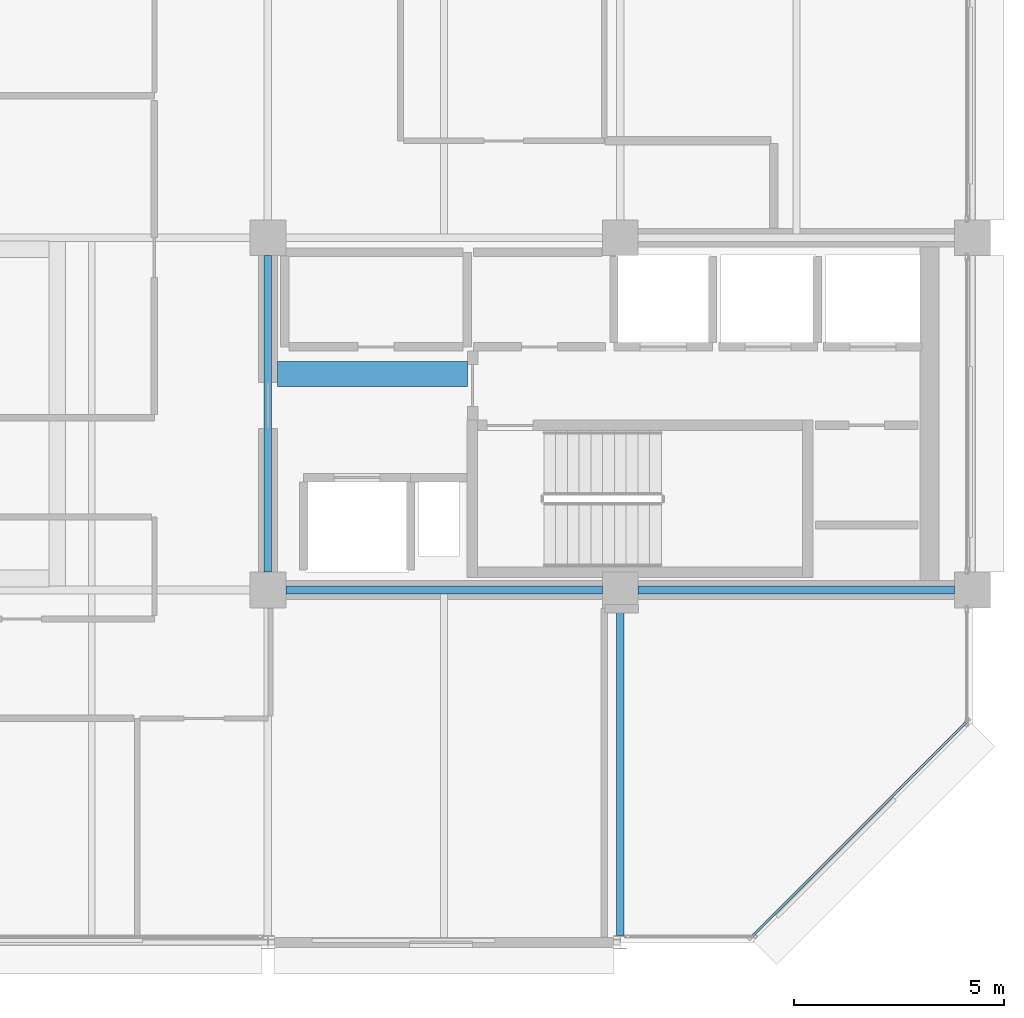
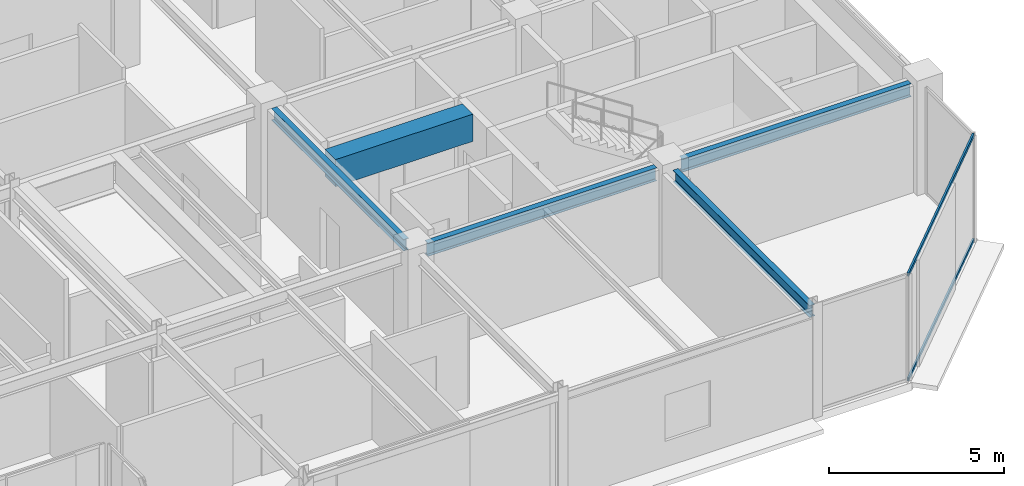
# One storey, part 8 of 25: 5 beams, 2 members, 1 element without a shape of its own.
"""IFC4 building model written with IfcOpenShell, lengths in metres."""

import ifcopenshell
import ifcopenshell.guid

model = None  # the IFC model being written
_history = None  # IfcOwnerHistory: only IFC2X3 demands one
_inside = {}  # id of a spatial element -> (the spatial element, [elements in it])
_under = {}  # id of a project, library or spatial element -> (it, [spatial elements below it])
_declared = {}  # id of a project -> (the project, [libraries it declares])
_typed = {}  # id of a type object -> (the type object, [elements of that type])
_made_of = {}  # id of a material, layer set ... -> (it, [elements and type objects made of it])


def new_model(schema):
    """Start an empty IFC model of exactly this schema.

    Asked for "IFC4X3", IfcOpenShell would pick the latest addendum, in which some entities
    have other attributes; the version numbers below select the first issue.
    IFC2X3 requires an IfcOwnerHistory on every rooted entity: one is made here for all.
    """
    global model, _history
    if schema == "IFC4X3":
        model = ifcopenshell.file(schema_version=(4, 3, 0, 0))
    else:
        model = ifcopenshell.file(schema=schema)
    _inside.clear()
    _under.clear()
    _declared.clear()
    _typed.clear()
    _made_of.clear()
    _history = None
    if model.schema == "IFC2X3":
        org = make("IfcOrganization", Name="unknown")
        user = make(
            "IfcPersonAndOrganization",
            ThePerson=make("IfcPerson", FamilyName="unknown"),
            TheOrganization=org,
        )
        app = make(
            "IfcApplication",
            ApplicationDeveloper=org,
            Version="unknown",
            ApplicationFullName="unknown",
            ApplicationIdentifier="unknown",
        )
        _history = make(
            "IfcOwnerHistory",
            OwningUser=user,
            OwningApplication=app,
            ChangeAction="ADDED",
            CreationDate=0,
        )
    return model


def make(cls, **values):
    """One entity of the class cls with the attributes given. An attribute that is None is left unset."""
    return model.create_entity(
        cls, **{name: value for name, value in values.items() if value is not None}
    )


def rooted(cls, **values):
    """An entity with a GlobalId (a new one), such as an element, a storey or a relation."""
    return make(cls, GlobalId=ifcopenshell.guid.new(), OwnerHistory=_history, **values)


def si_unit(unit_type, name, prefix=None):
    """IfcSIUnit, for example si_unit("LENGTHUNIT", "METRE", prefix="MILLI")."""
    return make("IfcSIUnit", UnitType=unit_type, Prefix=prefix, Name=name)


def assignment(units):
    """IfcUnitAssignment: the units of a project."""
    return None if units is None else make("IfcUnitAssignment", Units=units)


def point(xyz):
    """IfcCartesianPoint."""
    return None if xyz is None else make("IfcCartesianPoint", Coordinates=xyz)


def direction(xyz):
    """IfcDirection."""
    return None if xyz is None else make("IfcDirection", DirectionRatios=xyz)


def frame(location, z_axis=None, x_axis=None):
    """IfcAxis2Placement3D, a coordinate frame: its origin and axes. An axis left out is left unset."""
    return make(
        "IfcAxis2Placement3D",
        Location=point(location),
        Axis=direction(z_axis),
        RefDirection=direction(x_axis),
    )


def frame_2d(location, x_axis=None):
    """IfcAxis2Placement2D, a coordinate frame in the plane: its origin and x axis."""
    return make(
        "IfcAxis2Placement2D", Location=point(location), RefDirection=direction(x_axis)
    )


def origin():
    """The frame at (0, 0, 0) with its axes left unset."""
    return frame((0.0, 0.0, 0.0))


def origin_2d():
    """The frame at (0, 0) in the plane with its x axis left unset."""
    return frame_2d((0.0, 0.0))


def place(relative_to, where):
    """IfcLocalPlacement: puts the frame where relative to a parent placement (None: the world)."""
    return make(
        "IfcLocalPlacement", PlacementRelTo=relative_to, RelativePlacement=where
    )


def context(
    kind, dimensions, precision=None, world=None, true_north=None, identifier=None
):
    """IfcGeometricRepresentationContext, for example the 3D "Model" context."""
    return make(
        "IfcGeometricRepresentationContext",
        ContextIdentifier=identifier,
        ContextType=kind,
        CoordinateSpaceDimension=dimensions,
        Precision=precision,
        WorldCoordinateSystem=world,
        TrueNorth=true_north,
    )


def subcontext(parent, identifier, kind, view, scale=None):
    """IfcGeometricRepresentationSubContext, for example "Body" below "Model"."""
    return make(
        "IfcGeometricRepresentationSubContext",
        ContextIdentifier=identifier,
        ContextType=kind,
        ParentContext=parent,
        TargetScale=scale,
        TargetView=view,
    )


def project(units=None, contexts=None):
    """IfcProject with its units and contexts."""
    return rooted(
        "IfcProject",
        Name="project",
        RepresentationContexts=contexts,
        UnitsInContext=assignment(units),
    )


def spatial(cls, under=None, at=None, **own):
    """A site, building, storey or space (cls), placed at a placement, below another one or the project."""
    s = rooted(cls, ObjectPlacement=at, **own)
    if under is not None:
        _under.setdefault(under.id(), (under, []))[1].append(s)
    return s


def profile(cls, at=None, kind="AREA", **sizes):
    """A parametric profile (cls). Its sizes go by their IFC names, for example OverallWidth=200.0."""
    return make(cls, ProfileType=kind, Position=at, **sizes)


def rectangle(**sizes):
    """IfcRectangleProfileDef."""
    return profile("IfcRectangleProfileDef", **sizes)


def hollow_rectangle(**sizes):
    """IfcRectangleHollowProfileDef."""
    return profile("IfcRectangleHollowProfileDef", **sizes)


def i_section(**sizes):
    """IfcIShapeProfileDef."""
    return profile("IfcIShapeProfileDef", **sizes)


def extrude(swept, where, along, depth):
    """IfcExtrudedAreaSolid: the profile swept, set in the frame where, extruded along a direction by depth."""
    return make(
        "IfcExtrudedAreaSolid",
        SweptArea=swept,
        Position=where,
        ExtrudedDirection=direction(along),
        Depth=depth,
    )


def shape(context_of_items, identifier, shape_type, items):
    """IfcShapeRepresentation: the items that make up one representation, for example the "Body"."""
    return make(
        "IfcShapeRepresentation",
        ContextOfItems=context_of_items,
        RepresentationIdentifier=identifier,
        RepresentationType=shape_type,
        Items=items,
    )


def material(Name=None, Category=None):
    """IfcMaterial."""
    return make("IfcMaterial", Name=Name, Category=Category)


def layer(
    of_material, thickness, ventilated=None, Name=None, Category=None, Priority=None
):
    """IfcMaterialLayer: one layer of a wall or slab, of a material (None: an air gap)."""
    return make(
        "IfcMaterialLayer",
        Material=of_material,
        LayerThickness=thickness,
        IsVentilated=ventilated,
        Name=Name,
        Category=Category,
        Priority=Priority,
    )


def layer_set(layers, Name=None):
    """IfcMaterialLayerSet."""
    return make("IfcMaterialLayerSet", MaterialLayers=layers, LayerSetName=Name)


def material_profile(
    of_material, cross_section, Name=None, Category=None, Priority=None
):
    """IfcMaterialProfile: a cross section and its material."""
    return make(
        "IfcMaterialProfile",
        Name=Name,
        Material=of_material,
        Profile=cross_section,
        Priority=Priority,
        Category=Category,
    )


def profile_set(profiles, Name=None, composite=None):
    """IfcMaterialProfileSet."""
    return make(
        "IfcMaterialProfileSet",
        Name=Name,
        MaterialProfiles=profiles,
        CompositeProfile=composite,
    )


def made_of(thing, what):
    """Note that an element or type object is made of a material, layer set ...; save() writes the relation."""
    if what is not None:
        _made_of.setdefault(what.id(), (what, []))[1].append(thing)
    return thing


def type_object(cls, material=None, **own):
    """A type object (cls), such as IfcWallType, which elements share."""
    return made_of(rooted(cls, **own), material)


def element(
    cls,
    number,
    at=None,
    inside=None,
    cuts=None,
    type_object=None,
    material=None,
    context=None,
    identifier="Body",
    shape_type=None,
    held_by="IfcProductDefinitionShape",
    body=None,
    shapes=None,
    **own,
):
    """One element of the class cls, such as IfcWall. Its Tag is "e" and its number.

    at: its placement. inside: the storey or other place that contains it. cuts: it is an
    opening in that element (IfcRelVoidsElement). A single representation is given by context,
    identifier, shape_type and body (its items); several are given by shapes. held_by: the class
    of the entity that holds the representations. save() writes the other relations.
    """
    e = rooted(cls, Tag="e%d" % number, ObjectPlacement=at, **own)
    if body is not None:
        shapes = [shape(context, identifier, shape_type, body)]
    if shapes is not None:
        e.Representation = make(held_by, Representations=shapes)
    if inside is not None:
        _inside.setdefault(inside.id(), (inside, []))[1].append(e)
    if cuts is not None:
        rooted(
            "IfcRelVoidsElement", RelatingBuildingElement=cuts, RelatedOpeningElement=e
        )
    if type_object is not None:
        _typed.setdefault(type_object.id(), (type_object, []))[1].append(e)
    return made_of(e, material)


def aggregate(whole, parts):
    """IfcRelAggregates: a whole, such as a stair, and the parts it consists of."""
    return rooted("IfcRelAggregates", RelatingObject=whole, RelatedObjects=parts)


def save(model, path):
    """Write the relations noted so far, then the file.

    IfcRelAggregates (storeys below a building ...), IfcRelContainedInSpatialStructure (elements
    in a storey), IfcRelDefinesByType, IfcRelAssociatesMaterial and IfcRelDeclares: one each for
    every whole, place, type object, material and project.
    """
    for whole, parts in _under.values():
        aggregate(whole, parts)
    for where, things in _inside.values():
        rooted(
            "IfcRelContainedInSpatialStructure",
            RelatedElements=things,
            RelatingStructure=where,
        )
    for kind, things in _typed.values():
        rooted("IfcRelDefinesByType", RelatedObjects=things, RelatingType=kind)
    for what, things in _made_of.values():
        rooted("IfcRelAssociatesMaterial", RelatedObjects=things, RelatingMaterial=what)
    for by, libraries in _declared.values():
        rooted("IfcRelDeclares", RelatingContext=by, RelatedDefinitions=libraries)
    model.write(path)


model = new_model("IFC4")

# Units and contexts
model_context = context("Model", 3, precision=1e-05, world=origin(), true_north=direction((0.0, 1.0)))
body_context = subcontext(model_context, "Body", "Model", "MODEL_VIEW")
ifc_project = project(units=[si_unit("LENGTHUNIT", "METRE"), si_unit("AREAUNIT", "SQUARE_METRE"), si_unit("VOLUMEUNIT", "CUBIC_METRE"), si_unit("PLANEANGLEUNIT", "RADIAN"), si_unit("MASSUNIT", "GRAM", prefix="KILO")], contexts=[model_context])

# Site, building, storey
site_placement = place(None, origin())
site = spatial("IfcSite", under=ifc_project, at=site_placement, CompositionType="ELEMENT")
building_placement = place(site_placement, origin())
building = spatial("IfcBuilding", under=site, at=building_placement, Name="Nerrivon Quay Data Exchange", CompositionType="ELEMENT")
storey_placement = place(building_placement, frame((0.0, 0.0, 314.199951171875)))
storey = spatial("IfcBuildingStorey", under=building, at=storey_placement, Name="L75", CompositionType="ELEMENT", Elevation=314.199951171875)

# Beams
ifc_material_1 = material(Name="Concrete N50 (50 MPa)", Category="concrete")
ifc_material_profile_1 = material_profile(ifc_material_1, rectangle(XDim=0.60009765625, YDim=0.949951171875, at=origin_2d()), Name="RC-CB-600x950")
ifc_profile_set_1 = profile_set([ifc_material_profile_1], Name="Concrete N50 (50 MPa)")
beam_type_1 = type_object("IfcBeamType", Name="BM-CB2-600x950", PredefinedType="LINTEL", material=ifc_profile_set_1)
beam_1_placement = place(storey_placement, frame((17.02490234375, 13.550048828125, 3.25), z_axis=(1.0, 0.0, 0.0), x_axis=(0.0, 1.0, 0.0)))
element("IfcBeam", 1, at=beam_1_placement, inside=storey, type_object=beam_type_1, Name="L75 East Core Coupling Beam", PredefinedType="LINTEL", context=body_context, shape_type="SweptSolid", body=[
    extrude(rectangle(XDim=0.60009765625, YDim=0.949951171875, at=origin_2d()), origin(), (0.0, 0.0, 1.0), 4.530029296875),
])
ifc_material_2 = material(Name="Steel Grade 350", Category="steel")
ifc_material_profile_2 = material_profile(ifc_material_2, i_section(OverallWidth=0.18994140625, OverallDepth=0.4541015625, WebThickness=0.008544921875, FlangeThickness=0.0126953125, FilletRadius=0.011474609375, at=origin_2d()), Name="460UB67.1")
ifc_profile_set_2 = profile_set([ifc_material_profile_2], Name="Steel Grade 350")
beam_type_2 = type_object("IfcBeamType", Name="BM-G6-460UB67", PredefinedType="BEAM", material=ifc_profile_set_2)
beam_2_placement = place(storey_placement, frame((17.22509765625, 8.39990234375, 3.498046875), z_axis=(1.0, 0.0, 0.0), x_axis=(0.0, 1.0, 0.0)))
element("IfcBeam", 2, at=beam_2_placement, inside=storey, type_object=beam_type_2, Name="L75 EW Girder Y=8.4 (16.8..25.2)", PredefinedType="BEAM", context=body_context, shape_type="SweptSolid", body=[
    extrude(i_section(OverallWidth=0.18994140625, OverallDepth=0.4541015625, WebThickness=0.008544921875, FlangeThickness=0.0126953125, FilletRadius=0.011474609375, at=origin_2d()), origin(), (0.0, 0.0, 1.0), 7.5498046875),
])
beam_3_placement = place(storey_placement, frame((25.625, 8.39990234375, 3.498046875), z_axis=(1.0, 0.0, 0.0), x_axis=(0.0, 1.0, 0.0)))
element("IfcBeam", 3, at=beam_3_placement, inside=storey, type_object=beam_type_2, Name="L75 EW Girder Y=8.4 (25.2..33.6)", PredefinedType="BEAM", context=body_context, shape_type="SweptSolid", body=[
    extrude(i_section(OverallWidth=0.18994140625, OverallDepth=0.4541015625, WebThickness=0.008544921875, FlangeThickness=0.0126953125, FilletRadius=0.011474609375, at=origin_2d()), origin(), (0.0, 0.0, 1.0), 7.550048828125),
])
ifc_material_profile_3 = material_profile(ifc_material_2, i_section(OverallWidth=0.177978515625, OverallDepth=0.406005859375, WebThickness=0.0078125, FlangeThickness=0.0126953125, FilletRadius=0.011474609375, at=origin_2d()), Name="410UB59.7")
ifc_profile_set_3 = profile_set([ifc_material_profile_3], Name="Steel Grade 350")
beam_type_3 = type_object("IfcBeamType", Name="BM-J1-410UB60", PredefinedType="JOIST", material=ifc_profile_set_3)
beam_4_placement = place(storey_placement, frame((16.800048828125, 8.824951171875, 3.52197265625), z_axis=(0.0, 1.0, 0.0), x_axis=(-1.0, 0.0, 0.0)))
element("IfcBeam", 4, at=beam_4_placement, inside=storey, type_object=beam_type_3, Name="L75 NS Girder X=16.8 (8.4..16.8)", PredefinedType="JOIST", context=body_context, shape_type="SweptSolid", body=[
    extrude(i_section(OverallWidth=0.177978515625, OverallDepth=0.406005859375, WebThickness=0.0078125, FlangeThickness=0.0126953125, FilletRadius=0.011474609375, at=origin_2d()), origin(), (0.0, 0.0, 1.0), 7.550048828125),
])
beam_5_placement = place(storey_placement, frame((25.199951171875, 0.16357421875, 3.52197265625), z_axis=(0.0, 1.0, 0.0), x_axis=(-1.0, 0.0, 0.0)))
element("IfcBeam", 5, at=beam_5_placement, inside=storey, type_object=beam_type_3, Name="L75 NS Girder X=25.2 (0.0..8.4)", PredefinedType="JOIST", context=body_context, shape_type="SweptSolid", body=[
    extrude(i_section(OverallWidth=0.177978515625, OverallDepth=0.406005859375, WebThickness=0.0078125, FlangeThickness=0.0126953125, FilletRadius=0.011474609375, at=origin_2d()), origin(), (0.0, 0.0, 1.0), 7.8115234375),
])

# Curtain wall, members
ifc_material_3 = material(Name="Anodised aluminium 6063-T6", Category="aluminium")
ifc_layer = layer(ifc_material_3, 0.195068359375)
ifc_layer_set = layer_set([ifc_layer], Name="Anodised aluminium 6063-T6")
curtain_wall_type = type_object("IfcCurtainWallType", Name="CW-SYS-06", PredefinedType="NOTDEFINED", material=ifc_layer_set)
curtain_wall_placement = place(storey_placement, origin())
curtain_wall = element("IfcCurtainWall", 6, at=curtain_wall_placement, inside=storey, type_object=curtain_wall_type, Name="L75 Unitised Curtain Wall 1", PredefinedType="NOTDEFINED")
ifc_material_profile_4 = material_profile(ifc_material_3, hollow_rectangle(XDim=0.06005859375, YDim=0.1201171875, WallThickness=0.003173828125, at=origin_2d()), Name="ALU-TRAN-120x60")
ifc_profile_set_4 = profile_set([ifc_material_profile_4], Name="Anodised aluminium 6063-T6")
member_type = type_object("IfcMemberType", Name="CWT-120x60", PredefinedType="USERDEFINED", material=ifc_profile_set_4)
member_1_placement = place(storey_placement, frame((33.447998046875, 5.245849609375, 0.032470703125), z_axis=(-0.707123726196, -0.707089835771, 0.0), x_axis=(0.707089835771, -0.707123726196, 0.0)))
member_1 = element("IfcMember", 7, at=member_1_placement, type_object=member_type, Name="CW06 transom 1.1", ObjectType="TRANSOM", PredefinedType="USERDEFINED", context=body_context, shape_type="SweptSolid", body=[
    extrude(hollow_rectangle(XDim=0.06005859375, YDim=0.1201171875, WallThickness=0.003173828125, at=origin_2d()), origin(), (0.0, 0.0, 1.0), 7.203857421875),
])
member_2_placement = place(storey_placement, frame((33.447998046875, 5.245849609375, 3.692626953125), z_axis=(-0.707123726196, -0.707089835771, 0.0), x_axis=(0.707089835771, -0.707123726196, 0.0)))
member_2 = element("IfcMember", 8, at=member_2_placement, type_object=member_type, Name="CW06 transom 1.2", ObjectType="TRANSOM", PredefinedType="USERDEFINED", context=body_context, shape_type="SweptSolid", body=[
    extrude(hollow_rectangle(XDim=0.06005859375, YDim=0.1201171875, WallThickness=0.003173828125, at=origin_2d()), origin(), (0.0, 0.0, 1.0), 7.203857421875),
])
aggregate(curtain_wall, [member_1, member_2])

save(model, "model.ifc")
